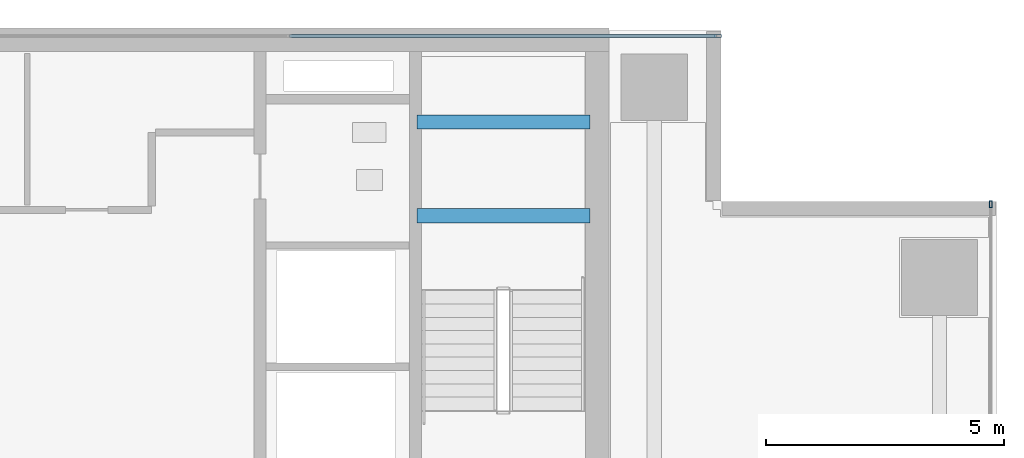
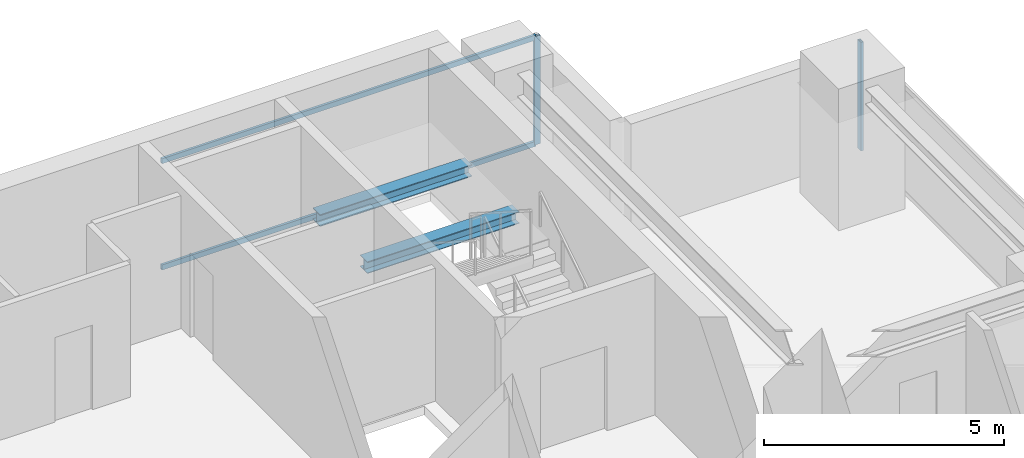
# One storey, part 22 of 29: 4 members, 2 beams, 2 elements without a shape of their own.
"""IFC4 building model written with IfcOpenShell, lengths in metres."""

from ifc_helpers import new_model, si_unit, direction, frame, origin, origin_2d, place, context, subcontext, project, spatial, hollow_rectangle, i_section, extrude, source, transform, mapped, material, layer, layer_set, material_profile, profile_set, type_object, element, aggregate, save


model = new_model("IFC4")

# Units and contexts
model_context = context("Model", 3, precision=1e-05, world=origin(), true_north=direction((0.0, 1.0)))
body_context = subcontext(model_context, "Body", "Model", "MODEL_VIEW")
ifc_project = project(units=[si_unit("LENGTHUNIT", "METRE"), si_unit("AREAUNIT", "SQUARE_METRE"), si_unit("VOLUMEUNIT", "CUBIC_METRE"), si_unit("PLANEANGLEUNIT", "RADIAN"), si_unit("MASSUNIT", "GRAM", prefix="KILO")], contexts=[model_context])

# Site, building, storey
site_placement = place(None, origin())
site = spatial("IfcSite", under=ifc_project, at=site_placement, CompositionType="ELEMENT")
building_placement = place(site_placement, origin())
building = spatial("IfcBuilding", under=site, at=building_placement, Name="Sumidabori Civic Tower", CompositionType="ELEMENT")
storey_placement = place(building_placement, frame((0.0, 0.0, 218.0)))
storey = spatial("IfcBuildingStorey", under=building, at=storey_placement, Name="L56", CompositionType="ELEMENT", Elevation=218.0)

# Beams
ifc_material_1 = material(Name="Steel SN490", Category="steel")
ifc_material_profile_1 = material_profile(ifc_material_1, i_section(OverallWidth=0.300048828125, OverallDepth=0.300048828125, WebThickness=0.010986328125, FlangeThickness=0.01904296875, at=origin_2d()), Name="HE 300 B")
ifc_profile_set_1 = profile_set([ifc_material_profile_1], Name="Steel SN490")
beam_type = type_object("IfcBeamType", Name="BM-LDG-300", PredefinedType="BEAM", material=ifc_profile_set_1)
shared_shape_1 = source(origin(), body_context, "Body", "SweptSolid", [
    extrude(i_section(OverallWidth=0.300048828125, OverallDepth=0.300048828125, WebThickness=0.010986328125, FlangeThickness=0.01904296875, at=origin_2d()), origin(), (0.0, 0.0, 1.0), 3.64990234375),
])
for number, where, z_axis, x_axis, name in (
    (1, (11.800048828125, 20.09765625, 1.449951171875), (1.0, 0.0, 0.0), (0.0, 1.0, 0.0), "Stair ST-2 Landing Support Beam L56-1A"),
    (2, (11.800048828125, 22.069580078125, 1.449951171875), (1.0, 0.0, 0.0), (0.0, 1.0, 0.0), "Stair ST-2 Landing Trimmer Beam L56-1B"),
):
    element("IfcBeam", number, at=place(storey_placement, frame(where, z_axis=z_axis, x_axis=x_axis)), inside=storey, type_object=beam_type, Name=name, PredefinedType="BEAM", context=body_context, shape_type="MappedRepresentation", body=[
        mapped(shared_shape_1, transform((0.0, 0.0, 0.0), x_axis=(1.0, 0.0, 0.0), y_axis=(0.0, 1.0, 0.0), z_axis=(0.0, 0.0, 1.0), scale=1.0)),
    ])

# Curtain wall, member
ifc_material_2 = material(Name="Anodised Bronze Aluminium AW-6063-T6", Category="aluminium")
ifc_layer = layer(ifc_material_2, 0.179931640625, Name="Anodised Bronze Aluminium AW-6063-T6")
ifc_layer_set = layer_set([ifc_layer], Name="Anodised Bronze Aluminium AW-6063-T6")
curtain_wall_type = type_object("IfcCurtainWallType", Name="CW-SYS-5", PredefinedType="NOTDEFINED", material=ifc_layer_set)
curtain_wall_1_placement = place(storey_placement, origin())
curtain_wall_1 = element("IfcCurtainWall", 3, at=curtain_wall_1_placement, inside=storey, type_object=curtain_wall_type, Name="Curtain Wall CW:L56:R10", PredefinedType="NOTDEFINED")
ifc_material_profile_2 = material_profile(ifc_material_2, hollow_rectangle(XDim=0.06005859375, YDim=0.139892578125, WallThickness=0.0048828125, at=origin_2d()), Name="ALU MULLION 140x60")
ifc_profile_set_2 = profile_set([ifc_material_profile_2], Name="Anodised Bronze Aluminium AW-6063-T6")
member_type_1 = type_object("IfcMemberType", Name="CW-MUL-140", PredefinedType="MULLION", material=ifc_profile_set_2)
shared_shape_2 = source(origin(), body_context, "Body", "SweptSolid", [
    extrude(hollow_rectangle(XDim=0.06005859375, YDim=0.139892578125, WallThickness=0.0048828125, at=origin_2d()), origin(), (0.0, 0.0, 1.0), 2.760009765625),
])
member_1_placement = place(storey_placement, frame((23.8798828125, 20.340087890625, 0.0), z_axis=(0.0, 0.0, 1.0), x_axis=(-1.0, 0.0, 0.0)))
member_1 = element("IfcMember", 4, at=member_1_placement, type_object=member_type_1, Name="CW-5 mullion 5", PredefinedType="MULLION", context=body_context, shape_type="MappedRepresentation", body=[
    mapped(shared_shape_2, transform((0.0, 0.0, 0.0), x_axis=(1.0, 0.0, 0.0), y_axis=(0.0, 1.0, 0.0), z_axis=(0.0, 0.0, 1.0), scale=1.0)),
])
aggregate(curtain_wall_1, [member_1])

# Curtain wall, members
curtain_wall_2_placement = place(storey_placement, origin())
curtain_wall_2 = element("IfcCurtainWall", 5, at=curtain_wall_2_placement, inside=storey, type_object=curtain_wall_type, Name="Curtain Wall CW:L56:R13", PredefinedType="NOTDEFINED")
member_2_placement = place(storey_placement, frame((18.139892578125, 23.8798828125, 0.0), z_axis=(0.0, 0.0, 1.0), x_axis=(0.0, -1.0, 0.0)))
member_2 = element("IfcMember", 6, at=member_2_placement, type_object=member_type_1, Name="CW-5 mullion 1", PredefinedType="MULLION", context=body_context, shape_type="MappedRepresentation", body=[
    mapped(shared_shape_2, transform((0.0, 0.0, 0.0), x_axis=(1.0, 0.0, 0.0), y_axis=(0.0, 1.0, 0.0), z_axis=(0.0, 0.0, 1.0), scale=1.0)),
])
ifc_material_profile_3 = material_profile(ifc_material_2, hollow_rectangle(XDim=0.06005859375, YDim=0.1298828125, WallThickness=0.0048828125, at=origin_2d()), Name="ALU TRANSOM 130x60")
ifc_profile_set_3 = profile_set([ifc_material_profile_3], Name="Anodised Bronze Aluminium AW-6063-T6")
member_type_2 = type_object("IfcMemberType", Name="CW-TRN-130", PredefinedType="USERDEFINED", material=ifc_profile_set_3)
shared_shape_3 = source(origin(), body_context, "Body", "SweptSolid", [
    extrude(hollow_rectangle(XDim=0.06005859375, YDim=0.1298828125, WallThickness=0.0048828125, at=origin_2d()), origin(), (0.0, 0.0, 1.0), 8.9951171875),
])
member_3_placement = place(storey_placement, frame((18.110107421875, 23.8798828125, 0.030029296875), z_axis=(-1.0, 0.0, 0.0), x_axis=(0.0, -1.0, 0.0)))
member_3 = element("IfcMember", 7, at=member_3_placement, type_object=member_type_2, Name="CW-5 transom 1.1", ObjectType="TRANSOM", PredefinedType="USERDEFINED", context=body_context, shape_type="MappedRepresentation", body=[
    mapped(shared_shape_3, transform((0.0, 0.0, 0.0), x_axis=(1.0, 0.0, 0.0), y_axis=(0.0, 1.0, 0.0), z_axis=(0.0, 0.0, 1.0), scale=1.0)),
])
member_4_placement = place(storey_placement, frame((18.110107421875, 23.8798828125, 2.72998046875), z_axis=(-1.0, 0.0, 0.0), x_axis=(0.0, -1.0, 0.0)))
member_4 = element("IfcMember", 8, at=member_4_placement, type_object=member_type_2, Name="CW-5 transom 1.2", ObjectType="TRANSOM", PredefinedType="USERDEFINED", context=body_context, shape_type="MappedRepresentation", body=[
    mapped(shared_shape_3, transform((0.0, 0.0, 0.0), x_axis=(1.0, 0.0, 0.0), y_axis=(0.0, 1.0, 0.0), z_axis=(0.0, 0.0, 1.0), scale=1.0)),
])
aggregate(curtain_wall_2, [member_2, member_3, member_4])

save(model, "model.ifc")
